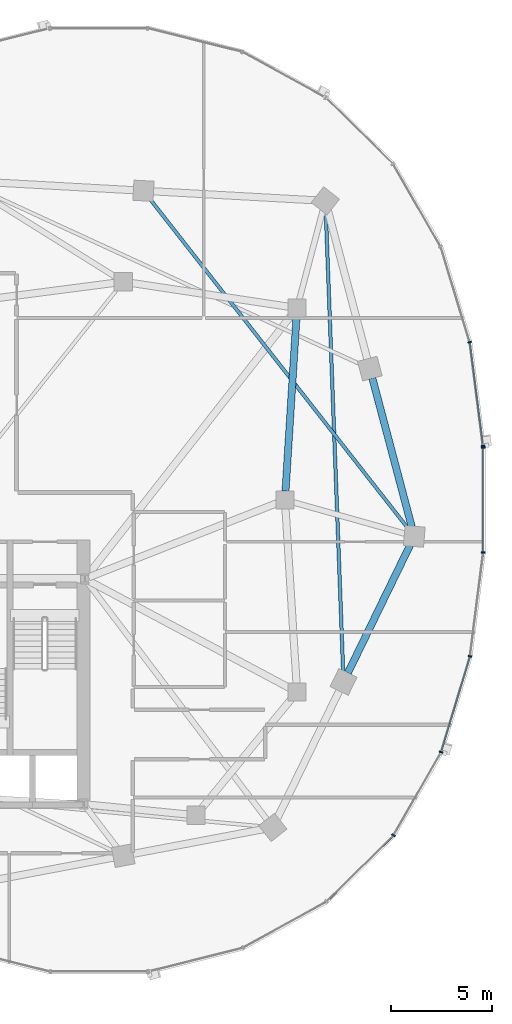
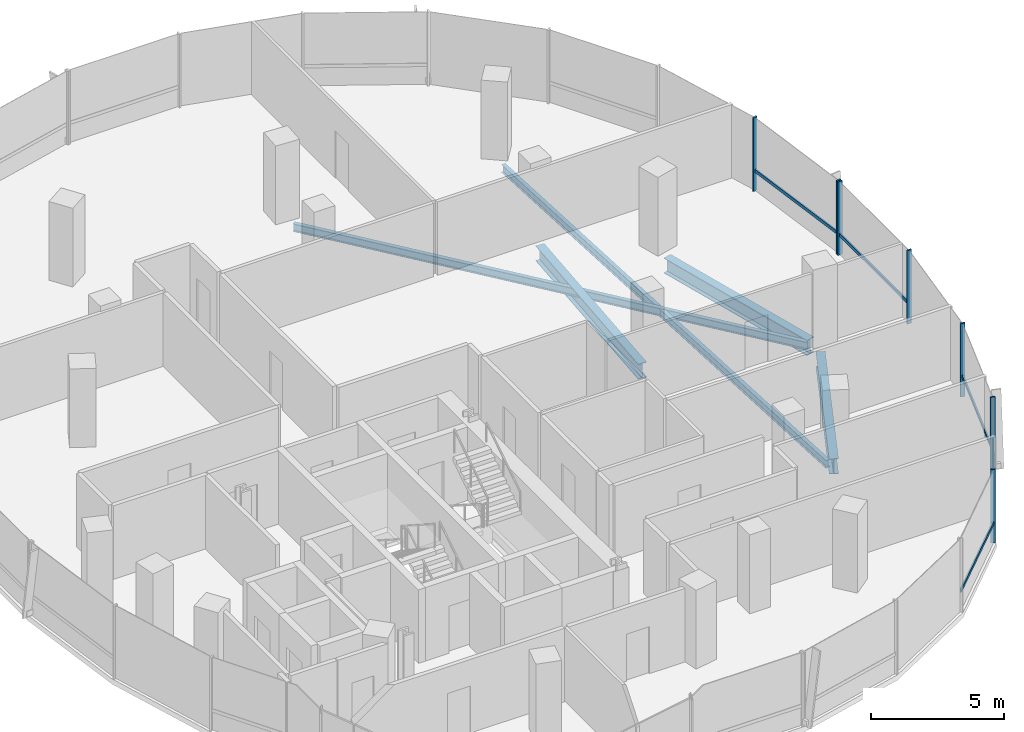
# One storey, part 8 of 22: 11 members, 5 beams, 2 elements without a shape of their own.
"""IFC4 building model written with IfcOpenShell, lengths in metres."""

from ifc_helpers import new_model, si_unit, direction, frame, origin, origin_2d, place, context, subcontext, project, spatial, rectangle, i_section, extrude, material, material_profile, profile_set, type_object, element, aggregate, save


model = new_model("IFC4")

# Units and contexts
model_context = context("Model", 3, precision=1e-05, world=origin(), true_north=direction((0.0, 1.0)))
body_context = subcontext(model_context, "Body", "Model", "MODEL_VIEW")
ifc_project = project(units=[si_unit("LENGTHUNIT", "METRE"), si_unit("AREAUNIT", "SQUARE_METRE"), si_unit("VOLUMEUNIT", "CUBIC_METRE"), si_unit("PLANEANGLEUNIT", "RADIAN"), si_unit("MASSUNIT", "GRAM", prefix="KILO"), si_unit("THERMODYNAMICTEMPERATUREUNIT", "KELVIN"), si_unit("POWERUNIT", "WATT")], contexts=[model_context])

# Site, building, storey
site_placement = place(None, origin())
site = spatial("IfcSite", under=ifc_project, at=site_placement, CompositionType="ELEMENT")
building_placement = place(site_placement, origin())
building = spatial("IfcBuilding", under=site, at=building_placement, Name="Cundina Bronze Exchange", CompositionType="ELEMENT")
storey_placement = place(building_placement, frame((0.0, 0.0, 151.199951171875)))
storey = spatial("IfcBuildingStorey", under=building, at=storey_placement, Name="L39", CompositionType="ELEMENT", Elevation=151.199951171875)

# Beams
ifc_material_1 = material(Name="Steel ASTM A992 Grade 50", Category="steel")
ifc_material_profile_1 = material_profile(ifc_material_1, i_section(OverallWidth=0.172119140625, OverallDepth=0.35791015625, WebThickness=0.0078125, FlangeThickness=0.01318359375, FilletRadius=0.010009765625, at=origin_2d()), Name="W14X38", Category="steel")
ifc_profile_set_1 = profile_set([ifc_material_profile_1], Name="Steel ASTM A992 Grade 50")
beam_type_1 = type_object("IfcBeamType", Name="BM-JST-W14", PredefinedType="JOIST", material=ifc_profile_set_1)
beam_1_placement = place(storey_placement, frame((44.08154296875, -8.51220703125, -0.4189453125), z_axis=(-0.037784933381, 0.999285894431, 0.0), x_axis=(-0.999285894431, -0.037784933381, 0.0)))
element("IfcBeam", 1, at=beam_1_placement, inside=storey, type_object=beam_type_1, Name="L39 Leg E Lobe Floor Joist 07-10", PredefinedType="JOIST", context=body_context, shape_type="SweptSolid", body=[
    extrude(i_section(OverallWidth=0.172119140625, OverallDepth=0.35791015625, WebThickness=0.0078125, FlangeThickness=0.01318359375, FilletRadius=0.010009765625, at=origin_2d()), origin(), (0.0, 0.0, 1.0), 22.8408203125),
])
beam_2_placement = place(storey_placement, frame((47.299072265625, -1.416015625, -0.4189453125), z_axis=(-0.616801484103, 0.787118751656, 0.0), x_axis=(-0.787118751656, -0.616801484103, 0.0)))
element("IfcBeam", 2, at=beam_2_placement, inside=storey, type_object=beam_type_1, Name="L39 Leg E Lobe Floor Joist 08-11", PredefinedType="JOIST", context=body_context, shape_type="SweptSolid", body=[
    extrude(i_section(OverallWidth=0.172119140625, OverallDepth=0.35791015625, WebThickness=0.0078125, FlangeThickness=0.01318359375, FilletRadius=0.010009765625, at=origin_2d()), origin(), (0.0, 0.0, 1.0), 20.7490234375),
])
ifc_material_profile_2 = material_profile(ifc_material_1, i_section(OverallWidth=0.35498046875, OverallDepth=0.695068359375, WebThickness=0.015380859375, FlangeThickness=0.02490234375, FilletRadius=0.01806640625, at=origin_2d()), Name="W27X146", Category="steel")
ifc_profile_set_2 = profile_set([ifc_material_profile_2], Name="Steel ASTM A992 Grade 50")
beam_type_2 = type_object("IfcBeamType", Name="BM-RING-W27", PredefinedType="USERDEFINED", material=ifc_profile_set_2)
beam_3_placement = place(storey_placement, frame((41.2275390625, 0.43701171875, -0.58740234375), z_axis=(0.063046519736, 0.998010589297, 0.0), x_axis=(-0.998010589297, 0.063046519736, 0.0)))
element("IfcBeam", 3, at=beam_3_placement, inside=storey, type_object=beam_type_2, Name="L39 E Inner Structural Ring Girder 04", ObjectType="GIRDER", PredefinedType="USERDEFINED", context=body_context, shape_type="SweptSolid", body=[
    extrude(i_section(OverallWidth=0.35498046875, OverallDepth=0.695068359375, WebThickness=0.015380859375, FlangeThickness=0.02490234375, FilletRadius=0.01806640625, at=origin_2d()), origin(), (0.0, 0.0, 1.0), 8.64306640625),
])
beam_4_placement = place(storey_placement, frame((44.3134765625, -8.56103515625, -0.58740234375), z_axis=(0.437196998825, 0.89936576776, 0.0), x_axis=(-0.89936576776, 0.437196998825, 0.0)))
element("IfcBeam", 4, at=beam_4_placement, inside=storey, type_object=beam_type_2, Name="L39 E Perimeter Ring Girder 07", ObjectType="GIRDER", PredefinedType="USERDEFINED", context=body_context, shape_type="SweptSolid", body=[
    extrude(i_section(OverallWidth=0.35498046875, OverallDepth=0.695068359375, WebThickness=0.015380859375, FlangeThickness=0.02490234375, FilletRadius=0.01806640625, at=origin_2d()), origin(), (0.0, 0.0, 1.0), 7.029541015625),
])
beam_5_placement = place(storey_placement, frame((47.47509765625, -1.328369140625, -0.58740234375), z_axis=(-0.256240814108, 0.966612975904, 0.0), x_axis=(-0.966612975904, -0.256240814108, 0.0)))
element("IfcBeam", 5, at=beam_5_placement, inside=storey, type_object=beam_type_2, Name="L39 E Perimeter Ring Girder 08", ObjectType="GIRDER", PredefinedType="USERDEFINED", context=body_context, shape_type="SweptSolid", body=[
    extrude(i_section(OverallWidth=0.35498046875, OverallDepth=0.695068359375, WebThickness=0.015380859375, FlangeThickness=0.02490234375, FilletRadius=0.01806640625, at=origin_2d()), origin(), (0.0, 0.0, 1.0), 7.61083984375),
])

# Curtain wall, members
ifc_material_2 = material(Name="Anodised Bronze Aluminium 6063-T6", Category="aluminium")
curtain_wall_type = type_object("IfcCurtainWallType", Name="CWS-WST-PIN", PredefinedType="NOTDEFINED", material=ifc_material_2)
curtain_wall_1_placement = place(storey_placement, origin())
curtain_wall_1 = element("IfcCurtainWall", 6, at=curtain_wall_1_placement, inside=storey, type_object=curtain_wall_type, Name="L39 CW-04 Curtain Wall Run CWR-L39-E1", PredefinedType="NOTDEFINED")
ifc_material_profile_3 = material_profile(ifc_material_2, rectangle(XDim=0.070068359375, YDim=0.18994140625, at=origin_2d()), Name="AL70X190", Category="aluminium")
ifc_profile_set_3 = profile_set([ifc_material_profile_3], Name="Anodised Bronze Aluminium 6063-T6")
member_type_1 = type_object("IfcMemberType", Name="CWM-MUL-190", PredefinedType="MULLION", material=ifc_profile_set_3)
member_1_placement = place(storey_placement, frame((51.001708984375, 2.676025390625, 0.0), z_axis=(0.0, 0.0, 1.0), x_axis=(-0.126545236492, 0.991960837494, 0.0)))
member_1 = element("IfcMember", 7, at=member_1_placement, type_object=member_type_1, Name="CW-04 Mullion 1", PredefinedType="MULLION", context=body_context, shape_type="SweptSolid", body=[
    extrude(rectangle(XDim=0.070068359375, YDim=0.18994140625, at=origin_2d()), origin(), (0.0, 0.0, 1.0), 3.360107421875),
])
member_2_placement = place(storey_placement, frame((50.3408203125, 7.80859375, 0.0), z_axis=(0.0, 0.0, 1.0), x_axis=(-0.290034140915, 0.957016299288, 0.0)))
member_2 = element("IfcMember", 8, at=member_2_placement, type_object=member_type_1, Name="CW-04 Mullion 2", PredefinedType="MULLION", context=body_context, shape_type="SweptSolid", body=[
    extrude(rectangle(XDim=0.070068359375, YDim=0.18994140625, at=origin_2d()), origin(), (0.0, 0.0, 1.0), 3.360107421875),
])

curtain_wall_2_placement = place(storey_placement, origin())
curtain_wall_2 = element("IfcCurtainWall", 9, at=curtain_wall_2_placement, inside=storey, type_object=curtain_wall_type, Name="L39 CW-04 Curtain Wall Run CWR-L39-E4", PredefinedType="NOTDEFINED")
member_3_placement = place(storey_placement, frame((46.57080078125, -16.588134765625, 0.0), z_axis=(0.0, 0.0, 1.0), x_axis=(0.498487739754, 0.866896748936, 0.0)))
member_3 = element("IfcMember", 10, at=member_3_placement, type_object=member_type_1, Name="CW-04 Mullion 4", PredefinedType="MULLION", context=body_context, shape_type="SweptSolid", body=[
    extrude(rectangle(XDim=0.070068359375, YDim=0.18994140625, at=origin_2d()), origin(), (0.0, 0.0, 1.0), 3.360107421875),
])
member_4_placement = place(storey_placement, frame((48.92626953125, -12.4755859375, 0.0), z_axis=(0.0, 0.0, 1.0), x_axis=(0.290034140915, 0.957016299288, 0.0)))
member_4 = element("IfcMember", 11, at=member_4_placement, type_object=member_type_1, Name="CW-04 Mullion 5", PredefinedType="MULLION", context=body_context, shape_type="SweptSolid", body=[
    extrude(rectangle(XDim=0.070068359375, YDim=0.18994140625, at=origin_2d()), origin(), (0.0, 0.0, 1.0), 3.360107421875),
])
member_5_placement = place(storey_placement, frame((50.357177734375, -7.731689453125, 0.0), z_axis=(0.0, 0.0, 1.0), x_axis=(0.126545236492, 0.991960837494, 0.0)))
member_5 = element("IfcMember", 12, at=member_5_placement, type_object=member_type_1, Name="CW-04 Mullion 6", PredefinedType="MULLION", context=body_context, shape_type="SweptSolid", body=[
    extrude(rectangle(XDim=0.070068359375, YDim=0.18994140625, at=origin_2d()), origin(), (0.0, 0.0, 1.0), 3.360107421875),
])
member_6_placement = place(storey_placement, frame((51.007080078125, -2.593017578125, 0.0), z_axis=(0.0, 0.0, 1.0), x_axis=(0.0, 1.0, 0.0)))
member_6 = element("IfcMember", 13, at=member_6_placement, type_object=member_type_1, Name="CW-04 Mullion 7", PredefinedType="MULLION", context=body_context, shape_type="SweptSolid", body=[
    extrude(rectangle(XDim=0.070068359375, YDim=0.18994140625, at=origin_2d()), origin(), (0.0, 0.0, 1.0), 3.360107421875),
])
member_7_placement = place(storey_placement, frame((51.007080078125, 2.593017578125, 0.0), z_axis=(0.0, 0.0, 1.0), x_axis=(0.0, 1.0, 0.0)))
member_7 = element("IfcMember", 14, at=member_7_placement, type_object=member_type_1, Name="CW-04 End Mullion", PredefinedType="MULLION", context=body_context, shape_type="SweptSolid", body=[
    extrude(rectangle(XDim=0.070068359375, YDim=0.18994140625, at=origin_2d()), origin(), (0.0, 0.0, 1.0), 3.360107421875),
])

# Member
ifc_material_profile_4 = material_profile(ifc_material_2, rectangle(XDim=0.06494140625, YDim=0.14990234375, at=origin_2d()), Name="AL65X150", Category="aluminium")
ifc_profile_set_4 = profile_set([ifc_material_profile_4], Name="Anodised Bronze Aluminium 6063-T6")
member_type_2 = type_object("IfcMemberType", Name="CWM-TRN-150", PredefinedType="USERDEFINED", material=ifc_profile_set_4)
member_8_placement = place(storey_placement, frame((50.996826171875, 2.71435546875, 0.920166015625), z_axis=(-0.12646340362, 0.991971273548, 0.0), x_axis=(-0.991971273548, -0.12646340362, 0.0)))
member_8 = element("IfcMember", 15, at=member_8_placement, type_object=member_type_2, Name="CW-04 Spandrel Transom 1", ObjectType="TRANSOM", PredefinedType="USERDEFINED", context=body_context, shape_type="SweptSolid", body=[
    extrude(rectangle(XDim=0.06494140625, YDim=0.14990234375, at=origin_2d()), origin(), (0.0, 0.0, 1.0), 5.0966796875),
])

aggregate(curtain_wall_1, [member_1, member_8, member_2])

member_9_placement = place(storey_placement, frame((43.28662109375, -19.839599609375, 0.920166015625), z_axis=(0.712005023839, 0.702174370102, 0.0), x_axis=(-0.702174370102, 0.712005023839, 0.0)))
member_9 = element("IfcMember", 16, at=member_9_placement, type_object=member_type_2, Name="CW-04 Spandrel Transom 3", ObjectType="TRANSOM", PredefinedType="USERDEFINED", context=body_context, shape_type="SweptSolid", body=[
    extrude(rectangle(XDim=0.06494140625, YDim=0.14990234375, at=origin_2d()), origin(), (0.0, 0.0, 1.0), 4.594482421875),
])

member_10_placement = place(storey_placement, frame((48.937255859375, -12.43896484375, 0.920166015625), z_axis=(0.290051855969, 0.957010930371, 0.0), x_axis=(-0.957010930371, 0.290051855969, 0.0)))
member_10 = element("IfcMember", 17, at=member_10_placement, type_object=member_type_2, Name="CW-04 Spandrel Transom 5", ObjectType="TRANSOM", PredefinedType="USERDEFINED", context=body_context, shape_type="SweptSolid", body=[
    extrude(rectangle(XDim=0.06494140625, YDim=0.14990234375, at=origin_2d()), origin(), (0.0, 0.0, 1.0), 4.876953125),
])

member_11_placement = place(storey_placement, frame((51.007080078125, -2.554443359375, 0.920166015625), z_axis=(0.0, 1.0, 0.0), x_axis=(-1.0, 0.0, 0.0)))
member_11 = element("IfcMember", 18, at=member_11_placement, type_object=member_type_2, Name="CW-04 Spandrel Transom 7", ObjectType="TRANSOM", PredefinedType="USERDEFINED", context=body_context, shape_type="SweptSolid", body=[
    extrude(rectangle(XDim=0.06494140625, YDim=0.14990234375, at=origin_2d()), origin(), (0.0, 0.0, 1.0), 5.10888671875),
])

aggregate(curtain_wall_2, [member_9, member_3, member_4, member_10, member_5, member_6, member_7, member_11])

save(model, "model.ifc")
